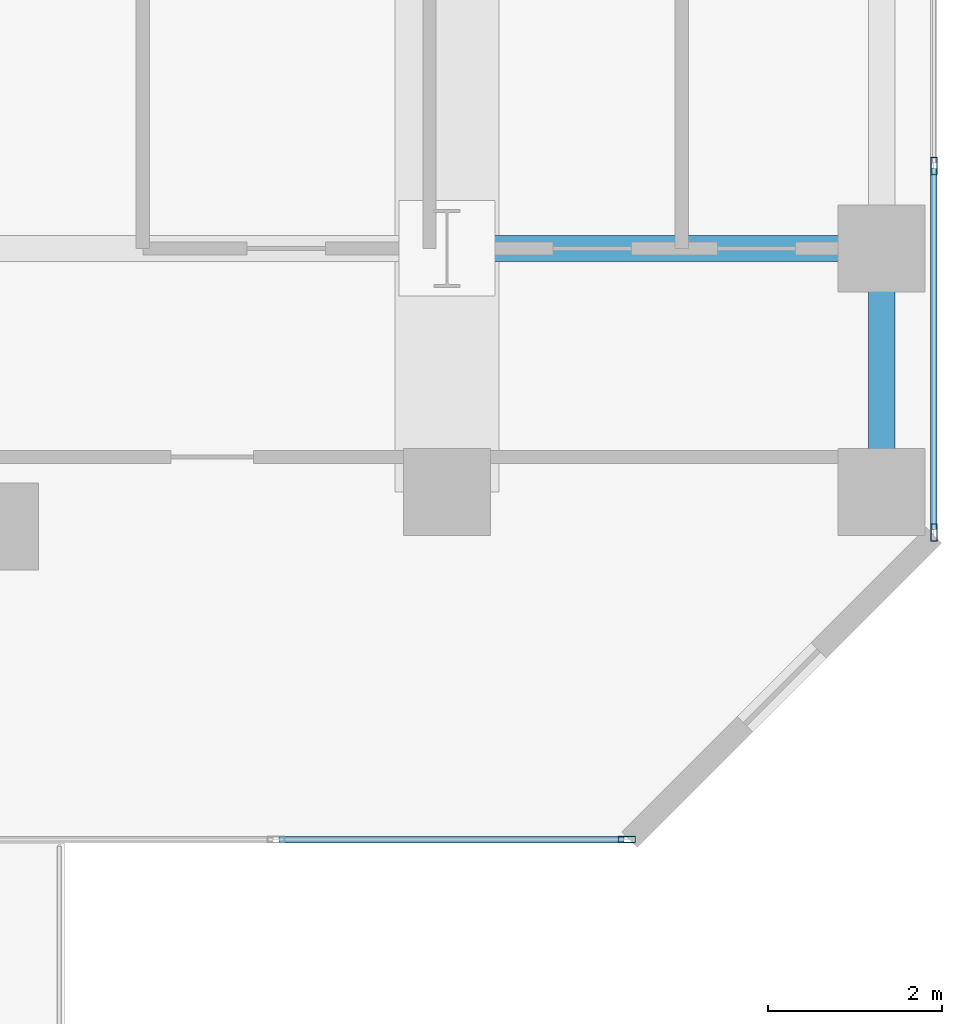
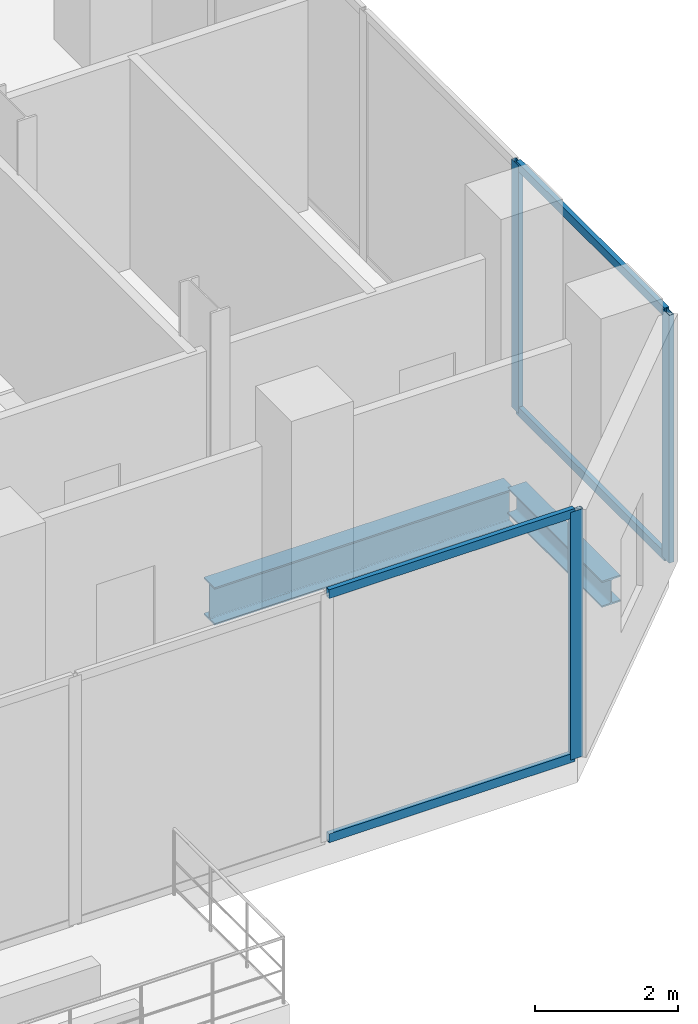
# One storey, part 12 of 24: 7 members, 2 beams, 2 elements without a shape of their own.
"""IFC4 building model written with IfcOpenShell, lengths in metres."""

from ifc_helpers import new_model, si_unit, direction, frame, origin, origin_2d, place, context, subcontext, project, spatial, hollow_rectangle, i_section, extrude, material, layer, layer_set, material_profile, profile_set, type_object, element, aggregate, save


model = new_model("IFC4")

# Units and contexts
model_context = context("Model", 3, precision=1e-05, world=origin(), true_north=direction((0.0, 1.0)))
body_context = subcontext(model_context, "Body", "Model", "MODEL_VIEW")
ifc_project = project(units=[si_unit("LENGTHUNIT", "METRE"), si_unit("AREAUNIT", "SQUARE_METRE"), si_unit("VOLUMEUNIT", "CUBIC_METRE"), si_unit("PLANEANGLEUNIT", "RADIAN"), si_unit("MASSUNIT", "GRAM", prefix="KILO")], contexts=[model_context])

# Site, building, storey
site_placement = place(None, origin())
site = spatial("IfcSite", under=ifc_project, at=site_placement, CompositionType="ELEMENT")
building_placement = place(site_placement, origin())
building = spatial("IfcBuilding", under=site, at=building_placement, Name="Catumbela Crestline Tower", CompositionType="ELEMENT")
storey_placement = place(building_placement, frame((0.0, 0.0, 21.3)))
storey = spatial("IfcBuildingStorey", under=building, at=storey_placement, Name="L04", CompositionType="ELEMENT", Elevation=21.3)

# Beam
ifc_material_1 = material(Name="Structural steel S355J2", Category="steel")
ifc_material_profile_1 = material_profile(ifc_material_1, i_section(OverallWidth=0.3, OverallDepth=0.64, WebThickness=0.0135, FlangeThickness=0.026, FilletRadius=0.027, at=origin_2d()), Name="HEA 650")
ifc_profile_set_1 = profile_set([ifc_material_profile_1], Name="Structural steel S355J2")
beam_type_1 = type_object("IfcBeamType", Name="BG-HEA650", PredefinedType="BEAM", material=ifc_profile_set_1)
beam_1_placement = place(storey_placement, frame((50.48, 30.8, -0.77), z_axis=(1.0, 0.0, 0.0), x_axis=(0.0, 1.0, 0.0)))
element("IfcBeam", 1, at=beam_1_placement, inside=storey, type_object=beam_type_1, Name="L04 Beam BM-L04-M11", PredefinedType="BEAM", context=body_context, shape_type="SweptSolid", body=[
    extrude(i_section(OverallWidth=0.3, OverallDepth=0.64, WebThickness=0.0135, FlangeThickness=0.026, FilletRadius=0.027, at=origin_2d()), origin(), (0.0, 0.0, 1.0), 4.84),
])

# Curtain wall, member
ifc_material_2 = material(Name="Aluminium alloy AW-6060-T66", Category="aluminium")
ifc_layer = layer(ifc_material_2, 0.18, Name="Aluminium alloy AW-6060-T66")
ifc_layer_set = layer_set([ifc_layer], Name="Aluminium alloy AW-6060-T66")
curtain_wall_type = type_object("IfcCurtainWallType", Name="CWS-POD", PredefinedType="USERDEFINED", material=ifc_layer_set)
curtain_wall_1_placement = place(storey_placement, origin())
curtain_wall_1 = element("IfcCurtainWall", 2, at=curtain_wall_1_placement, inside=storey, type_object=curtain_wall_type, Name="L04 Stick Curtain Wall CW-L04-E3S4", ObjectType="STICK", PredefinedType="USERDEFINED")
ifc_material_profile_2 = material_profile(ifc_material_2, hollow_rectangle(XDim=0.075, YDim=0.2, WallThickness=0.005, at=origin_2d()), Name="ALU 200x75x5")
ifc_profile_set_2 = profile_set([ifc_material_profile_2], Name="Aluminium alloy AW-6060-T66")
member_type_1 = type_object("IfcMemberType", Name="MUL-200X75", PredefinedType="MULLION", material=ifc_profile_set_2)
member_1_placement = place(storey_placement, frame((52.4675, 24.0, 0.0), z_axis=(0.0, 0.0, 1.0), x_axis=(0.0, 1.0, 0.0)))
member_1 = element("IfcMember", 3, at=member_1_placement, type_object=member_type_1, Name="CWS-POD mullion 4", PredefinedType="MULLION", context=body_context, shape_type="SweptSolid", body=[
    extrude(hollow_rectangle(XDim=0.075, YDim=0.2, WallThickness=0.005, at=origin_2d()), origin(), (0.0, 0.0, 1.0), 4.23),
])

# Curtain wall, members
curtain_wall_2_placement = place(storey_placement, origin())
curtain_wall_2 = element("IfcCurtainWall", 4, at=curtain_wall_2_placement, inside=storey, type_object=curtain_wall_type, Name="L04 Stick Curtain Wall CW-L04-E5S1", ObjectType="STICK", PredefinedType="USERDEFINED")
member_2_placement = place(storey_placement, frame((56.0, 27.5325, 0.0), z_axis=(0.0, 0.0, 1.0), x_axis=(-1.0, 0.0, 0.0)))
member_2 = element("IfcMember", 5, at=member_2_placement, type_object=member_type_1, Name="CWS-POD mullion 1", PredefinedType="MULLION", context=body_context, shape_type="SweptSolid", body=[
    extrude(hollow_rectangle(XDim=0.075, YDim=0.2, WallThickness=0.005, at=origin_2d()), origin(), (0.0, 0.0, 1.0), 4.23),
])
member_3_placement = place(storey_placement, frame((56.0, 31.75, 0.0), z_axis=(0.0, 0.0, 1.0), x_axis=(-1.0, 0.0, 0.0)))
member_3 = element("IfcMember", 6, at=member_3_placement, type_object=member_type_1, Name="CWS-POD mullion 2", PredefinedType="MULLION", context=body_context, shape_type="SweptSolid", body=[
    extrude(hollow_rectangle(XDim=0.075, YDim=0.2, WallThickness=0.005, at=origin_2d()), origin(), (0.0, 0.0, 1.0), 4.23),
])

# Beam
ifc_material_profile_3 = material_profile(ifc_material_1, i_section(OverallWidth=0.3, OverallDepth=0.45, WebThickness=0.014, FlangeThickness=0.026, FilletRadius=0.027, at=origin_2d()), Name="HEB 450")
ifc_profile_set_3 = profile_set([ifc_material_profile_3], Name="Structural steel S355J2")
beam_type_2 = type_object("IfcBeamType", Name="BS-HEB450", PredefinedType="SPANDREL", material=ifc_profile_set_3)
beam_2_placement = place(storey_placement, frame((55.4, 28.08, -0.675), z_axis=(0.0, 1.0, 0.0), x_axis=(-1.0, 0.0, 0.0)))
element("IfcBeam", 7, at=beam_2_placement, inside=storey, type_object=beam_type_2, Name="L04 Spandrel SP-L04-SN35", PredefinedType="SPANDREL", context=body_context, shape_type="SweptSolid", body=[
    extrude(i_section(OverallWidth=0.3, OverallDepth=0.45, WebThickness=0.014, FlangeThickness=0.026, FilletRadius=0.027, at=origin_2d()), origin(), (0.0, 0.0, 1.0), 2.64),
])

# Member
ifc_material_profile_4 = material_profile(ifc_material_2, hollow_rectangle(XDim=0.075, YDim=0.15, WallThickness=0.0045, at=origin_2d()), Name="ALU 150x75x4.5")
ifc_profile_set_4 = profile_set([ifc_material_profile_4], Name="Aluminium alloy AW-6060-T66")
member_type_2 = type_object("IfcMemberType", Name="TRN-150X75", PredefinedType="USERDEFINED", material=ifc_profile_set_4)
member_4_placement = place(storey_placement, frame((48.4658, 24.0, 0.03), z_axis=(1.0, 0.0, 0.0), x_axis=(0.0, 1.0, 0.0)))
member_4 = element("IfcMember", 8, at=member_4_placement, type_object=member_type_2, Name="CWS-POD transom 3.1", ObjectType="TRANSOM", PredefinedType="USERDEFINED", context=body_context, shape_type="SweptSolid", body=[
    extrude(hollow_rectangle(XDim=0.075, YDim=0.15, WallThickness=0.0045, at=origin_2d()), origin(), (0.0, 0.0, 1.0), 3.9692),
])

member_5_placement = place(storey_placement, frame((48.4658, 24.0, 4.2), z_axis=(1.0, 0.0, 0.0), x_axis=(0.0, 1.0, 0.0)))
member_5 = element("IfcMember", 9, at=member_5_placement, type_object=member_type_2, Name="CWS-POD transom 3.2", ObjectType="TRANSOM", PredefinedType="USERDEFINED", context=body_context, shape_type="SweptSolid", body=[
    extrude(hollow_rectangle(XDim=0.075, YDim=0.15, WallThickness=0.0045, at=origin_2d()), origin(), (0.0, 0.0, 1.0), 3.9692),
])

aggregate(curtain_wall_1, [member_1, member_4, member_5])

member_6_placement = place(storey_placement, frame((56.0, 27.565, 0.03), z_axis=(0.0, 1.0, 0.0), x_axis=(-1.0, 0.0, 0.0)))
member_6 = element("IfcMember", 10, at=member_6_placement, type_object=member_type_2, Name="CWS-POD transom 1.1", ObjectType="TRANSOM", PredefinedType="USERDEFINED", context=body_context, shape_type="SweptSolid", body=[
    extrude(hollow_rectangle(XDim=0.075, YDim=0.15, WallThickness=0.0045, at=origin_2d()), origin(), (0.0, 0.0, 1.0), 4.1525),
])

member_7_placement = place(storey_placement, frame((56.0, 27.565, 4.2), z_axis=(0.0, 1.0, 0.0), x_axis=(-1.0, 0.0, 0.0)))
member_7 = element("IfcMember", 11, at=member_7_placement, type_object=member_type_2, Name="CWS-POD transom 1.2", ObjectType="TRANSOM", PredefinedType="USERDEFINED", context=body_context, shape_type="SweptSolid", body=[
    extrude(hollow_rectangle(XDim=0.075, YDim=0.15, WallThickness=0.0045, at=origin_2d()), origin(), (0.0, 0.0, 1.0), 4.1525),
])

aggregate(curtain_wall_2, [member_2, member_3, member_6, member_7])

save(model, "model.ifc")
